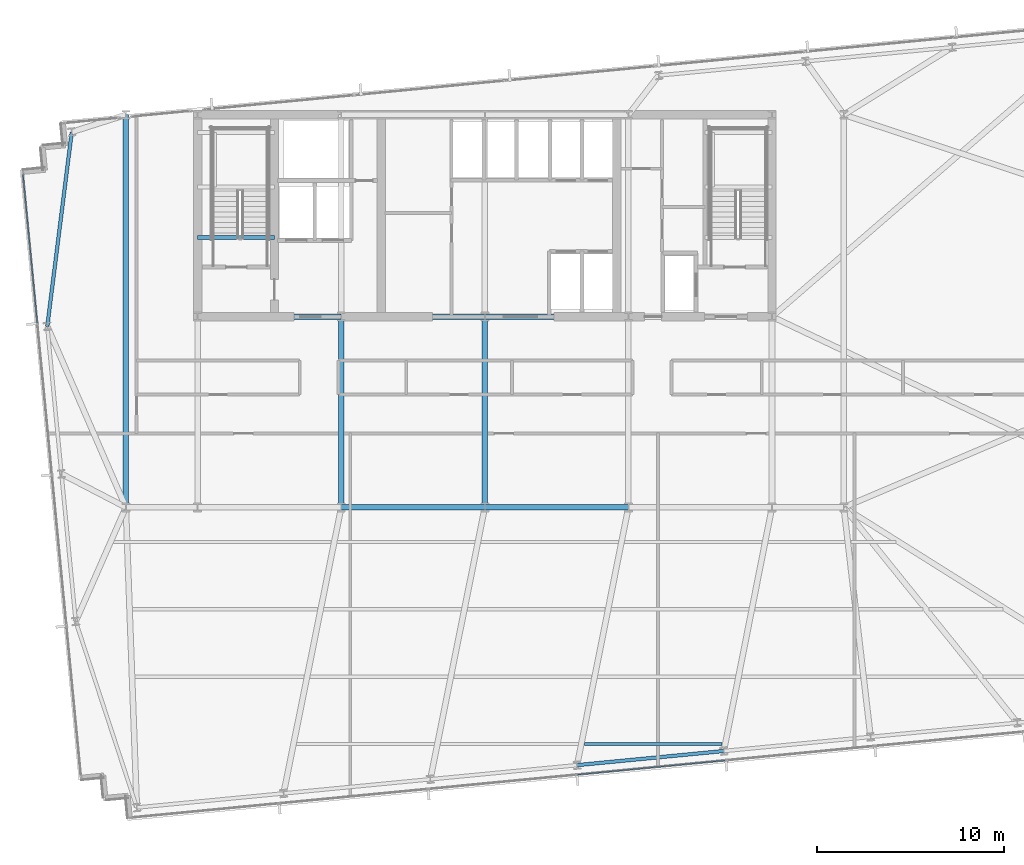
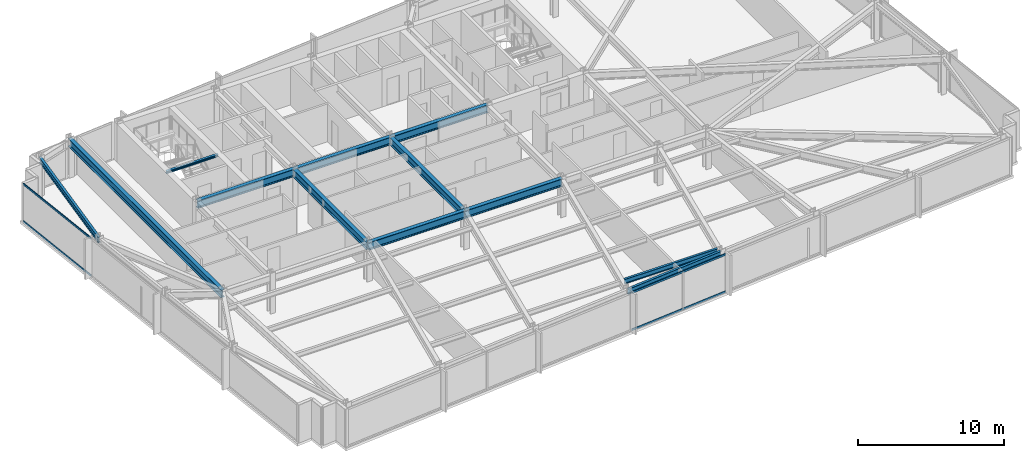
# One storey, part 9 of 32: 12 beams, 4 members, 2 elements without a shape of their own.
"""IFC4 building model written with IfcOpenShell, lengths in metres."""

from ifc_helpers import new_model, si_unit, direction, frame, origin, origin_2d, place, context, subcontext, project, spatial, hollow_rectangle, i_section, extrude, material, material_profile, profile_set, type_object, element, aggregate, save


model = new_model("IFC4")

# Units and contexts
model_context = context("Model", 3, precision=1e-05, world=origin(), true_north=direction((0.0, 1.0)))
body_context = subcontext(model_context, "Body", "Model", "MODEL_VIEW")
ifc_project = project(units=[si_unit("LENGTHUNIT", "METRE"), si_unit("AREAUNIT", "SQUARE_METRE"), si_unit("VOLUMEUNIT", "CUBIC_METRE"), si_unit("PLANEANGLEUNIT", "RADIAN"), si_unit("MASSUNIT", "GRAM", prefix="KILO")], contexts=[model_context])

# Site, building, storey
site_placement = place(None, origin())
site = spatial("IfcSite", under=ifc_project, at=site_placement, CompositionType="ELEMENT")
building_placement = place(site_placement, origin())
building = spatial("IfcBuilding", under=site, at=building_placement, Name="Yelkora Congress Tower", CompositionType="ELEMENT")
storey_placement = place(building_placement, frame((0.0, 0.0, 116.89990234375)))
storey = spatial("IfcBuildingStorey", under=building, at=storey_placement, Name="L31", CompositionType="ELEMENT", Elevation=116.89990234375)

# Beams
ifc_material_1 = material(Name="Steel S355J2", Category="steel")
ifc_material_profile_1 = material_profile(ifc_material_1, i_section(OverallWidth=0.300048828125, OverallDepth=0.64990234375, WebThickness=0.01611328125, FlangeThickness=0.031005859375, FilletRadius=0.027099609375, at=origin_2d()), Name="HEB 650")
ifc_profile_set_1 = profile_set([ifc_material_profile_1], Name="Steel S355J2")
beam_type_1 = type_object("IfcBeamType", Name="BM-GIRD-HEB650", PredefinedType="BEAM", material=ifc_profile_set_1)
beam_1_placement = place(storey_placement, frame((30.719970703125, 25.199951171875, 2.85498046875), z_axis=(1.0, 0.0, 0.0), x_axis=(0.0, 1.0, 0.0)))
element("IfcBeam", 1, at=beam_1_placement, inside=storey, type_object=beam_type_1, Name="L31 Spine Grid D Girder 3", PredefinedType="BEAM", context=body_context, shape_type="SweptSolid", body=[
    extrude(i_section(OverallWidth=0.300048828125, OverallDepth=0.64990234375, WebThickness=0.01611328125, FlangeThickness=0.031005859375, FilletRadius=0.027099609375, at=origin_2d()), origin(), (0.0, 0.0, 1.0), 7.679931640625),
])
beam_2_placement = place(storey_placement, frame((38.39990234375, 25.199951171875, 2.85498046875), z_axis=(1.0, 0.0, 0.0), x_axis=(0.0, 1.0, 0.0)))
element("IfcBeam", 2, at=beam_2_placement, inside=storey, type_object=beam_type_1, Name="L31 Spine Grid D Girder 4", PredefinedType="BEAM", context=body_context, shape_type="SweptSolid", body=[
    extrude(i_section(OverallWidth=0.300048828125, OverallDepth=0.64990234375, WebThickness=0.01611328125, FlangeThickness=0.031005859375, FilletRadius=0.027099609375, at=origin_2d()), origin(), (0.0, 0.0, 1.0), 7.68017578125),
])
for number, where, z_axis, x_axis, name in (
    (3, (23.0400390625, 35.39990234375, 2.85498046875), (1.0, 0.0, 0.0), (0.0, 1.0, 0.0), "L31 Core South Girder 1"),
    (4, (30.719970703125, 35.39990234375, 2.85498046875), (1.0, 0.0, 0.0), (0.0, 1.0, 0.0), "L31 Core South Girder 2"),
):
    element("IfcBeam", number, at=place(storey_placement, frame(where, z_axis=z_axis, x_axis=x_axis)), inside=storey, type_object=beam_type_1, Name=name, PredefinedType="BEAM", context=body_context, shape_type="SweptSolid", body=[
        extrude(i_section(OverallWidth=0.300048828125, OverallDepth=0.64990234375, WebThickness=0.01611328125, FlangeThickness=0.031005859375, FilletRadius=0.027099609375, at=origin_2d()), origin(), (0.0, 0.0, 1.0), 7.679931640625),
    ])
beam_3_placement = place(storey_placement, frame((38.39990234375, 35.39990234375, 2.85498046875), z_axis=(1.0, 0.0, 0.0), x_axis=(0.0, 1.0, 0.0)))
element("IfcBeam", 5, at=beam_3_placement, inside=storey, type_object=beam_type_1, Name="L31 Core South Girder 3", PredefinedType="BEAM", context=body_context, shape_type="SweptSolid", body=[
    extrude(i_section(OverallWidth=0.300048828125, OverallDepth=0.64990234375, WebThickness=0.01611328125, FlangeThickness=0.031005859375, FilletRadius=0.027099609375, at=origin_2d()), origin(), (0.0, 0.0, 1.0), 7.68017578125),
])
for number, where, z_axis, x_axis, name in (
    (6, (30.719970703125, 25.199951171875, 2.85498046875), (0.0, 1.0, 0.0), (-1.0, 0.0, 0.0), "L31 Core Tie Girder MC-D2"),
    (7, (38.39990234375, 25.199951171875, 2.85498046875), (0.0, 1.0, 0.0), (-1.0, 0.0, 0.0), "L31 Core Tie Girder MC-D3"),
):
    element("IfcBeam", number, at=place(storey_placement, frame(where, z_axis=z_axis, x_axis=x_axis)), inside=storey, type_object=beam_type_1, Name=name, PredefinedType="BEAM", context=body_context, shape_type="SweptSolid", body=[
        extrude(i_section(OverallWidth=0.300048828125, OverallDepth=0.64990234375, WebThickness=0.01611328125, FlangeThickness=0.031005859375, FilletRadius=0.027099609375, at=origin_2d()), origin(), (0.0, 0.0, 1.0), 10.199951171875),
    ])
beam_4_placement = place(storey_placement, frame((19.199951171875, 25.199951171875, 2.85498046875), z_axis=(0.0, 1.0, 0.0), x_axis=(-1.0, 0.0, 0.0)))
element("IfcBeam", 8, at=beam_4_placement, inside=storey, type_object=beam_type_1, Name="L31 Neck Flank Girder MC-F1", PredefinedType="BEAM", context=body_context, shape_type="SweptSolid", body=[
    extrude(i_section(OverallWidth=0.300048828125, OverallDepth=0.64990234375, WebThickness=0.01611328125, FlangeThickness=0.031005859375, FilletRadius=0.027099609375, at=origin_2d()), origin(), (0.0, 0.0, 1.0), 21.0),
])
ifc_material_profile_2 = material_profile(ifc_material_1, i_section(OverallWidth=0.179931640625, OverallDepth=0.39990234375, WebThickness=0.008544921875, FlangeThickness=0.013427734375, FilletRadius=0.02099609375, at=origin_2d()), Name="IPE 400")
ifc_profile_set_2 = profile_set([ifc_material_profile_2], Name="Steel S355J2")
beam_type_2 = type_object("IfcBeamType", Name="BM-JOIST-IPE400", PredefinedType="JOIST", material=ifc_profile_set_2)
beam_5_placement = place(storey_placement, frame((43.7197265625, 12.54443359375, 2.97998046875), z_axis=(1.0, 0.0, 0.0), x_axis=(0.0, 1.0, 0.0)))
element("IfcBeam", 9, at=beam_5_placement, inside=storey, type_object=beam_type_2, Name="L31 Composite Floor Joist 3", PredefinedType="JOIST", context=body_context, shape_type="SweptSolid", body=[
    extrude(i_section(OverallWidth=0.179931640625, OverallDepth=0.39990234375, WebThickness=0.008544921875, FlangeThickness=0.013427734375, FilletRadius=0.02099609375, at=origin_2d()), origin(), (0.0, 0.0, 1.0), 7.37841796875),
])
ifc_material_profile_3 = material_profile(ifc_material_1, i_section(OverallWidth=0.199951171875, OverallDepth=0.18994140625, WebThickness=0.006591796875, FlangeThickness=0.010009765625, FilletRadius=0.01806640625, at=origin_2d()), Name="HEA 200")
ifc_profile_set_3 = profile_set([ifc_material_profile_3], Name="Steel S355J2")
beam_type_3 = type_object("IfcBeamType", Name="BM-LAND-HEA200", PredefinedType="BEAM", material=ifc_profile_set_3)
beam_6_placement = place(storey_placement, frame((23.0400390625, 39.639892578125, 2.947509765625), z_axis=(1.0, 0.0, 0.0), x_axis=(0.0, 1.0, 0.0)))
element("IfcBeam", 10, at=beam_6_placement, inside=storey, type_object=beam_type_3, Name="ST-01 L31 Floor Arrival Stringer Header Beam", PredefinedType="BEAM", context=body_context, shape_type="SweptSolid", body=[
    extrude(i_section(OverallWidth=0.199951171875, OverallDepth=0.18994140625, WebThickness=0.006591796875, FlangeThickness=0.010009765625, FilletRadius=0.01806640625, at=origin_2d()), origin(), (0.0, 0.0, 1.0), 4.10986328125),
])
ifc_material_profile_4 = material_profile(ifc_material_1, i_section(OverallWidth=0.18994140625, OverallDepth=0.449951171875, WebThickness=0.009521484375, FlangeThickness=0.0146484375, FilletRadius=0.02099609375, at=origin_2d()), Name="IPE 450")
ifc_profile_set_4 = profile_set([ifc_material_profile_4], Name="Steel S355J2")
beam_type_4 = type_object("IfcBeamType", Name="BM-SPAN-IPE450", PredefinedType="SPANDREL", material=ifc_profile_set_4)
beam_7_placement = place(storey_placement, frame((43.334228515625, 11.411865234375, 2.955078125), z_axis=(0.995398529126, 0.09582154358, 0.0), x_axis=(-0.09582154358, 0.995398529126, 0.0)))
element("IfcBeam", 11, at=beam_7_placement, inside=storey, type_object=beam_type_4, Name="L31 Perimeter Beam 6", PredefinedType="SPANDREL", context=body_context, shape_type="SweptSolid", body=[
    extrude(i_section(OverallWidth=0.18994140625, OverallDepth=0.449951171875, WebThickness=0.009521484375, FlangeThickness=0.0146484375, FilletRadius=0.02099609375, at=origin_2d()), origin(), (0.0, 0.0, 1.0), 7.8857421875),
])
beam_8_placement = place(storey_placement, frame((16.306884765625, 45.27734375, 2.955078125), z_axis=(-0.124952129665, -0.992162771571, 0.0), x_axis=(0.992162771571, -0.124952129665, 0.0)))
element("IfcBeam", 12, at=beam_8_placement, inside=storey, type_object=beam_type_4, Name="L31 Perimeter Beam 18", PredefinedType="SPANDREL", context=body_context, shape_type="SweptSolid", body=[
    extrude(i_section(OverallWidth=0.18994140625, OverallDepth=0.449951171875, WebThickness=0.009521484375, FlangeThickness=0.0146484375, FilletRadius=0.02099609375, at=origin_2d()), origin(), (0.0, 0.0, 1.0), 10.48046875),
])

# Curtain wall, members
ifc_material_2 = material(Name="Anodised aluminium and insulated glass", Category="aluminium")
curtain_wall_type = type_object("IfcCurtainWallType", Name="CW-SYS-B2", PredefinedType="NOTDEFINED", material=ifc_material_2)
curtain_wall_1_placement = place(storey_placement, origin())
curtain_wall_1 = element("IfcCurtainWall", 13, at=curtain_wall_1_placement, inside=storey, type_object=curtain_wall_type, Name="L31 Unitised Curtain Wall 5", PredefinedType="NOTDEFINED")
ifc_material_3 = material(Name="Anodised aluminium 6063-T6", Category="aluminium")
ifc_material_profile_5 = material_profile(ifc_material_3, hollow_rectangle(XDim=0.06494140625, YDim=0.159912109375, WallThickness=0.00390625, at=origin_2d()), Name="ALU 65x160x4")
ifc_profile_set_5 = profile_set([ifc_material_profile_5], Name="Anodised aluminium 6063-T6")
member_type = type_object("IfcMemberType", Name="MEM-TR-B2", PredefinedType="USERDEFINED", material=ifc_profile_set_5)
member_1_placement = place(storey_placement, frame((14.466796875, 35.06884765625, 0.03271484375), z_axis=(-0.095858482834, 0.995394972495, 0.0), x_axis=(-0.995394972495, -0.095858482834, 0.0)))
member_1 = element("IfcMember", 14, at=member_1_placement, type_object=member_type, Name="CW-B2 transom 4.1", ObjectType="TRANSOM", PredefinedType="USERDEFINED", context=body_context, shape_type="SweptSolid", body=[
    extrude(hollow_rectangle(XDim=0.06494140625, YDim=0.159912109375, WallThickness=0.00390625, at=origin_2d()), origin(), (0.0, 0.0, 1.0), 8.025146484375),
])
member_2_placement = place(storey_placement, frame((14.466796875, 35.06884765625, 3.147705078125), z_axis=(-0.095858482834, 0.995394972495, 0.0), x_axis=(-0.995394972495, -0.095858482834, 0.0)))
member_2 = element("IfcMember", 15, at=member_2_placement, type_object=member_type, Name="CW-B2 transom 4.2", ObjectType="TRANSOM", PredefinedType="USERDEFINED", context=body_context, shape_type="SweptSolid", body=[
    extrude(hollow_rectangle(XDim=0.06494140625, YDim=0.159912109375, WallThickness=0.00390625, at=origin_2d()), origin(), (0.0, 0.0, 1.0), 8.025146484375),
])
aggregate(curtain_wall_1, [member_1, member_2])

curtain_wall_2_placement = place(storey_placement, origin())
curtain_wall_2 = element("IfcCurtainWall", 16, at=curtain_wall_2_placement, inside=storey, type_object=curtain_wall_type, Name="L31 Unitised Curtain Wall 20", PredefinedType="NOTDEFINED")
member_3_placement = place(storey_placement, frame((51.255859375, 11.662353515625, 0.03271484375), z_axis=(-0.995394074338, -0.095867808848, 0.0), x_axis=(0.095867808848, -0.995394074338, 0.0)))
member_3 = element("IfcMember", 17, at=member_3_placement, type_object=member_type, Name="CW-B2 transom 4.1", ObjectType="TRANSOM", PredefinedType="USERDEFINED", context=body_context, shape_type="SweptSolid", body=[
    extrude(hollow_rectangle(XDim=0.06494140625, YDim=0.159912109375, WallThickness=0.00390625, at=origin_2d()), origin(), (0.0, 0.0, 1.0), 7.932861328125),
])
member_4_placement = place(storey_placement, frame((51.255859375, 11.662353515625, 3.147705078125), z_axis=(-0.995394074338, -0.095867808848, 0.0), x_axis=(0.095867808848, -0.995394074338, 0.0)))
member_4 = element("IfcMember", 18, at=member_4_placement, type_object=member_type, Name="CW-B2 transom 4.2", ObjectType="TRANSOM", PredefinedType="USERDEFINED", context=body_context, shape_type="SweptSolid", body=[
    extrude(hollow_rectangle(XDim=0.06494140625, YDim=0.159912109375, WallThickness=0.00390625, at=origin_2d()), origin(), (0.0, 0.0, 1.0), 7.932861328125),
])
aggregate(curtain_wall_2, [member_3, member_4])

save(model, "model.ifc")
